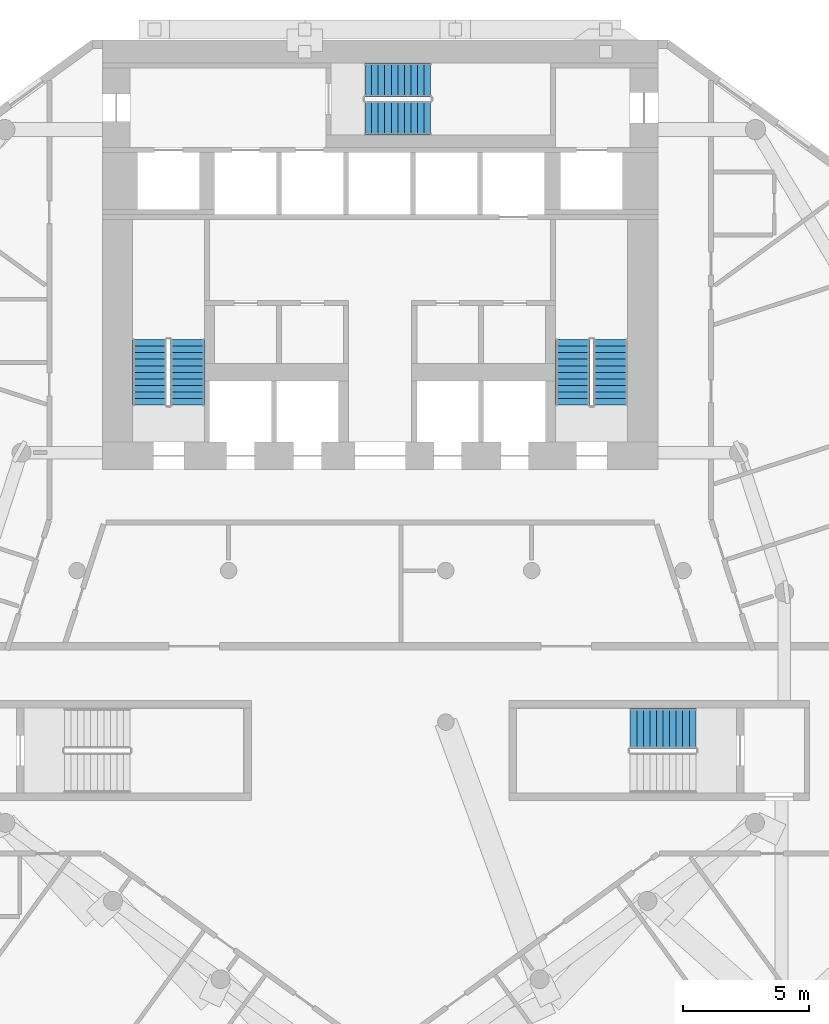
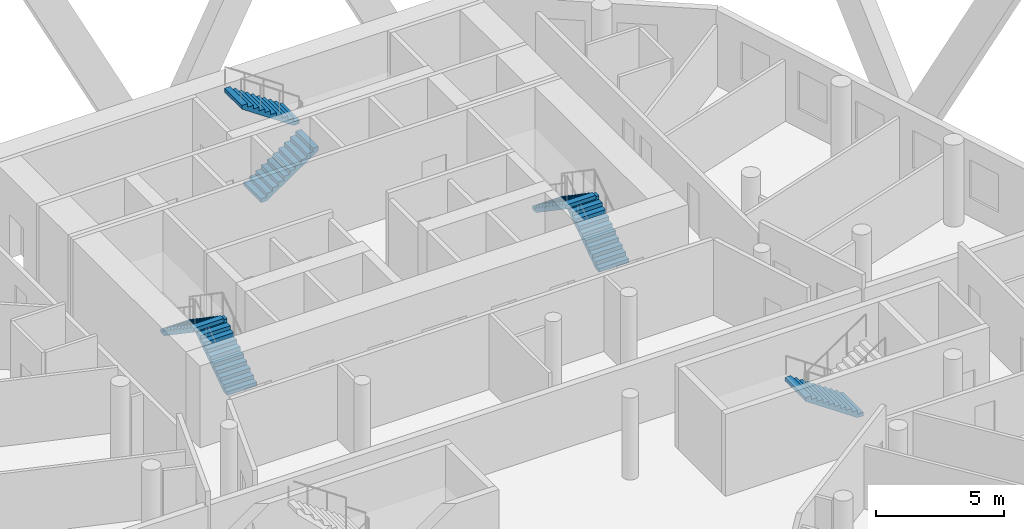
# One storey, part 9 of 11: 7 stair flights, 4 elements without a shape of their own.
"""IFC4 building model written with IfcOpenShell, lengths in metres."""

from ifc_helpers import new_model, si_unit, direction, frame, origin, place, context, subcontext, project, spatial, polyline, outline, extrude, material, layer, layer_set, type_object, element, aggregate, save


model = new_model("IFC4")

# Units and contexts
model_context = context("Model", 3, precision=1e-05, world=origin(), true_north=direction((0.0, 1.0)))
body_context = subcontext(model_context, "Body", "Model", "MODEL_VIEW")
ifc_project = project(units=[si_unit("LENGTHUNIT", "METRE"), si_unit("AREAUNIT", "SQUARE_METRE"), si_unit("VOLUMEUNIT", "CUBIC_METRE"), si_unit("PLANEANGLEUNIT", "RADIAN"), si_unit("MASSUNIT", "GRAM", prefix="KILO")], contexts=[model_context])

# Site, building, storey
site_placement = place(None, origin())
site = spatial("IfcSite", under=ifc_project, at=site_placement, CompositionType="ELEMENT")
building_placement = place(site_placement, origin())
building = spatial("IfcBuilding", under=site, at=building_placement, Name="White Candle Pilgrim Tower", CompositionType="ELEMENT")
storey_placement = place(building_placement, frame((0.0, 0.0, 90.800048828125)))
storey = spatial("IfcBuildingStorey", under=building, at=storey_placement, Name="L19", CompositionType="ELEMENT", Elevation=90.800048828125)

# Stair, stair flights
ifc_material = material(Name="Concrete C40/50", Category="concrete")
stair_type_1 = type_object("IfcStairType", Name="Exit stair 1 flight width 1350 mm", PredefinedType="HALF_TURN_STAIR", material=ifc_material)
stair_1_placement = place(storey_placement, origin())
stair_1 = element("IfcStair", 1, at=stair_1_placement, inside=storey, type_object=stair_type_1, Name="L19 stair 1", PredefinedType="NOTDEFINED")
ifc_layer = layer(ifc_material, 0.14990234375)
ifc_layer_set = layer_set([ifc_layer], Name="Stair flight Concrete C40/50")
stair_flight_type = type_object("IfcStairFlightType", Name="Stair flight Concrete C40/50", PredefinedType="STRAIGHT", material=ifc_layer_set)
stair_flight_1_placement = place(storey_placement, frame((62.375, 73.550048828125, 0.0), z_axis=(0.0, 0.0, 1.0), x_axis=(0.0, 1.0, 0.0)))
stair_flight_1 = element("IfcStairFlight", 2, at=stair_flight_1_placement, type_object=stair_flight_type, Name="ST1 flight 1", NumberOfRisers=11, NumberOfTreads=10, PredefinedType="NOTDEFINED", RiserHeight=0.177272727, TreadLength=0.26, context=body_context, shape_type="SweptSolid", body=[
    extrude(outline(polyline([(0.0, 0.0), (0.0, 0.17724609375), (0.260009765625, 0.17724609375), (0.260009765625, 0.3544921875), (0.52001953125, 0.3544921875), (0.52001953125, 0.53173828125), (0.780029296875, 0.53173828125), (0.780029296875, 0.708984375), (1.0400390625, 0.708984375), (1.0400390625, 0.886474609375), (1.300048828125, 0.886474609375), (1.300048828125, 1.063720703125), (1.56005859375, 1.063720703125), (1.56005859375, 1.240966796875), (1.820068359375, 1.240966796875), (1.820068359375, 1.418212890625), (2.080078125, 1.418212890625), (2.080078125, 1.595458984375), (2.340087890625, 1.595458984375), (2.340087890625, 1.772705078125), (2.60009765625, 1.772705078125), (2.60009765625, 1.949951171875), (2.60009765625, 1.59130859375), (0.26611328125, 0.0), (0.0, 0.0)])), frame((0.0, 0.675048828125, 0.0), z_axis=(0.0, -1.0, 0.0), x_axis=(1.0, 0.0, 0.0)), (0.0, 0.0, 1.0), 1.35009765625),
])
stair_flight_2_placement = place(storey_placement, frame((60.875, 76.14990234375, 1.949951171875), z_axis=(0.0, 0.0, 1.0), x_axis=(0.0, -1.0, 0.0)))
stair_flight_2 = element("IfcStairFlight", 3, at=stair_flight_2_placement, type_object=stair_flight_type, Name="ST1 flight 2", NumberOfRisers=11, NumberOfTreads=10, PredefinedType="NOTDEFINED", RiserHeight=0.177272727, TreadLength=0.26, context=body_context, shape_type="SweptSolid", body=[
    extrude(outline(polyline([(0.0, 0.0), (0.0, 0.17724609375), (0.260009765625, 0.17724609375), (0.260009765625, 0.3544921875), (0.52001953125, 0.3544921875), (0.52001953125, 0.53173828125), (0.780029296875, 0.53173828125), (0.780029296875, 0.708984375), (1.0400390625, 0.708984375), (1.0400390625, 0.886474609375), (1.300048828125, 0.886474609375), (1.300048828125, 1.063720703125), (1.56005859375, 1.063720703125), (1.56005859375, 1.240966796875), (1.820068359375, 1.240966796875), (1.820068359375, 1.418212890625), (2.080078125, 1.418212890625), (2.080078125, 1.595458984375), (2.340087890625, 1.595458984375), (2.340087890625, 1.772705078125), (2.60009765625, 1.772705078125), (2.60009765625, 1.949951171875), (2.60009765625, 1.59130859375), (0.26611328125, 0.0), (0.0, 0.0)])), frame((0.0, 0.675048828125, 0.0), z_axis=(0.0, -1.0, 0.0), x_axis=(1.0, 0.0, 0.0)), (0.0, 0.0, 1.0), 1.35009765625),
])
aggregate(stair_1, [stair_flight_1, stair_flight_2])

stair_type_2 = type_object("IfcStairType", Name="Exit stair 2 flight width 1350 mm", PredefinedType="HALF_TURN_STAIR", material=ifc_material)
stair_2_placement = place(storey_placement, origin())
stair_2 = element("IfcStair", 4, at=stair_2_placement, inside=storey, type_object=stair_type_2, Name="L19 stair 2", PredefinedType="NOTDEFINED")
stair_flight_3_placement = place(storey_placement, frame((79.125, 73.550048828125, 0.0), z_axis=(0.0, 0.0, 1.0), x_axis=(0.0, 1.0, 0.0)))
stair_flight_3 = element("IfcStairFlight", 5, at=stair_flight_3_placement, type_object=stair_flight_type, Name="ST2 flight 1", NumberOfRisers=11, NumberOfTreads=10, PredefinedType="NOTDEFINED", RiserHeight=0.177272727, TreadLength=0.26, context=body_context, shape_type="SweptSolid", body=[
    extrude(outline(polyline([(0.0, 0.0), (0.0, 0.17724609375), (0.260009765625, 0.17724609375), (0.260009765625, 0.3544921875), (0.52001953125, 0.3544921875), (0.52001953125, 0.53173828125), (0.780029296875, 0.53173828125), (0.780029296875, 0.708984375), (1.0400390625, 0.708984375), (1.0400390625, 0.886474609375), (1.300048828125, 0.886474609375), (1.300048828125, 1.063720703125), (1.56005859375, 1.063720703125), (1.56005859375, 1.240966796875), (1.820068359375, 1.240966796875), (1.820068359375, 1.418212890625), (2.080078125, 1.418212890625), (2.080078125, 1.595458984375), (2.340087890625, 1.595458984375), (2.340087890625, 1.772705078125), (2.60009765625, 1.772705078125), (2.60009765625, 1.949951171875), (2.60009765625, 1.59130859375), (0.26611328125, 0.0), (0.0, 0.0)])), frame((0.0, 0.675048828125, 0.0), z_axis=(0.0, -1.0, 0.0), x_axis=(1.0, 0.0, 0.0)), (0.0, 0.0, 1.0), 1.35009765625),
])
stair_flight_4_placement = place(storey_placement, frame((77.625, 76.14990234375, 1.949951171875), z_axis=(0.0, 0.0, 1.0), x_axis=(0.0, -1.0, 0.0)))
stair_flight_4 = element("IfcStairFlight", 6, at=stair_flight_4_placement, type_object=stair_flight_type, Name="ST2 flight 2", NumberOfRisers=11, NumberOfTreads=10, PredefinedType="NOTDEFINED", RiserHeight=0.177272727, TreadLength=0.26, context=body_context, shape_type="SweptSolid", body=[
    extrude(outline(polyline([(0.0, 0.0), (0.0, 0.17724609375), (0.260009765625, 0.17724609375), (0.260009765625, 0.3544921875), (0.52001953125, 0.3544921875), (0.52001953125, 0.53173828125), (0.780029296875, 0.53173828125), (0.780029296875, 0.708984375), (1.0400390625, 0.708984375), (1.0400390625, 0.886474609375), (1.300048828125, 0.886474609375), (1.300048828125, 1.063720703125), (1.56005859375, 1.063720703125), (1.56005859375, 1.240966796875), (1.820068359375, 1.240966796875), (1.820068359375, 1.418212890625), (2.080078125, 1.418212890625), (2.080078125, 1.595458984375), (2.340087890625, 1.595458984375), (2.340087890625, 1.772705078125), (2.60009765625, 1.772705078125), (2.60009765625, 1.949951171875), (2.60009765625, 1.59130859375), (0.26611328125, 0.0), (0.0, 0.0)])), frame((0.0, 0.675048828125, 0.0), z_axis=(0.0, -1.0, 0.0), x_axis=(1.0, 0.0, 0.0)), (0.0, 0.0, 1.0), 1.35009765625),
])
aggregate(stair_2, [stair_flight_3, stair_flight_4])

stair_type_3 = type_object("IfcStairType", Name="Exit stair 3 flight width 1350 mm", PredefinedType="HALF_TURN_STAIR", material=ifc_material)
stair_3_placement = place(storey_placement, origin())
stair_3 = element("IfcStair", 7, at=stair_3_placement, inside=storey, type_object=stair_type_3, Name="L19 stair 3", PredefinedType="NOTDEFINED")
stair_flight_5_placement = place(storey_placement, frame((69.39990234375, 84.925048828125, 0.0), z_axis=(0.0, 0.0, 1.0), x_axis=(1.0, 0.0, 0.0)))
stair_flight_5 = element("IfcStairFlight", 8, at=stair_flight_5_placement, type_object=stair_flight_type, Name="ST3 flight 1", NumberOfRisers=11, NumberOfTreads=10, PredefinedType="NOTDEFINED", RiserHeight=0.177272727, TreadLength=0.26, context=body_context, shape_type="SweptSolid", body=[
    extrude(outline(polyline([(0.0, 0.0), (0.0, 0.17724609375), (0.260009765625, 0.17724609375), (0.260009765625, 0.3544921875), (0.52001953125, 0.3544921875), (0.52001953125, 0.53173828125), (0.780029296875, 0.53173828125), (0.780029296875, 0.708984375), (1.0400390625, 0.708984375), (1.0400390625, 0.886474609375), (1.300048828125, 0.886474609375), (1.300048828125, 1.063720703125), (1.56005859375, 1.063720703125), (1.56005859375, 1.240966796875), (1.820068359375, 1.240966796875), (1.820068359375, 1.418212890625), (2.080078125, 1.418212890625), (2.080078125, 1.595458984375), (2.340087890625, 1.595458984375), (2.340087890625, 1.772705078125), (2.60009765625, 1.772705078125), (2.60009765625, 1.949951171875), (2.60009765625, 1.59130859375), (0.26611328125, 0.0), (0.0, 0.0)])), frame((0.0, 0.675048828125, 0.0), z_axis=(0.0, -1.0, 0.0), x_axis=(1.0, 0.0, 0.0)), (0.0, 0.0, 1.0), 1.35009765625),
])
stair_flight_6_placement = place(storey_placement, frame((72.0, 86.425048828125, 1.949951171875), z_axis=(0.0, 0.0, 1.0), x_axis=(-1.0, 0.0, 0.0)))
stair_flight_6 = element("IfcStairFlight", 9, at=stair_flight_6_placement, type_object=stair_flight_type, Name="ST3 flight 2", NumberOfRisers=11, NumberOfTreads=10, PredefinedType="NOTDEFINED", RiserHeight=0.177272727, TreadLength=0.26, context=body_context, shape_type="SweptSolid", body=[
    extrude(outline(polyline([(0.0, 0.0), (0.0, 0.17724609375), (0.260009765625, 0.17724609375), (0.260009765625, 0.3544921875), (0.52001953125, 0.3544921875), (0.52001953125, 0.53173828125), (0.780029296875, 0.53173828125), (0.780029296875, 0.708984375), (1.0400390625, 0.708984375), (1.0400390625, 0.886474609375), (1.300048828125, 0.886474609375), (1.300048828125, 1.063720703125), (1.56005859375, 1.063720703125), (1.56005859375, 1.240966796875), (1.820068359375, 1.240966796875), (1.820068359375, 1.418212890625), (2.080078125, 1.418212890625), (2.080078125, 1.595458984375), (2.340087890625, 1.595458984375), (2.340087890625, 1.772705078125), (2.60009765625, 1.772705078125), (2.60009765625, 1.949951171875), (2.60009765625, 1.59130859375), (0.26611328125, 0.0), (0.0, 0.0)])), frame((0.0, 0.675048828125, 0.0), z_axis=(0.0, -1.0, 0.0), x_axis=(1.0, 0.0, 0.0)), (0.0, 0.0, 1.0), 1.35009765625),
])
aggregate(stair_3, [stair_flight_5, stair_flight_6])

# Stair, stair flight
stair_type_4 = type_object("IfcStairType", Name="Exit stair 4 flight width 1600 mm", PredefinedType="HALF_TURN_STAIR", material=ifc_material)
stair_4_placement = place(storey_placement, origin())
stair_4 = element("IfcStair", 10, at=stair_4_placement, inside=storey, type_object=stair_type_4, Name="L19 stair 4", PredefinedType="NOTDEFINED")
stair_flight_7_placement = place(storey_placement, frame((82.5, 60.75, 0.0), z_axis=(0.0, 0.0, 1.0), x_axis=(-1.0, 0.0, 0.0)))
stair_flight_7 = element("IfcStairFlight", 11, at=stair_flight_7_placement, type_object=stair_flight_type, Name="ST4 flight 1", NumberOfRisers=11, NumberOfTreads=10, PredefinedType="NOTDEFINED", RiserHeight=0.177272727, TreadLength=0.26, context=body_context, shape_type="SweptSolid", body=[
    extrude(outline(polyline([(0.0, 0.0), (0.0, 0.17724609375), (0.260009765625, 0.17724609375), (0.260009765625, 0.3544921875), (0.52001953125, 0.3544921875), (0.52001953125, 0.53173828125), (0.780029296875, 0.53173828125), (0.780029296875, 0.708984375), (1.0400390625, 0.708984375), (1.0400390625, 0.886474609375), (1.300048828125, 0.886474609375), (1.300048828125, 1.063720703125), (1.56005859375, 1.063720703125), (1.56005859375, 1.240966796875), (1.820068359375, 1.240966796875), (1.820068359375, 1.418212890625), (2.080078125, 1.418212890625), (2.080078125, 1.595458984375), (2.340087890625, 1.595458984375), (2.340087890625, 1.772705078125), (2.60009765625, 1.772705078125), (2.60009765625, 1.949951171875), (2.60009765625, 1.59130859375), (0.26611328125, 0.0), (0.0, 0.0)])), frame((0.0, 0.800048828125, 0.0), z_axis=(0.0, -1.0, 0.0), x_axis=(1.0, 0.0, 0.0)), (0.0, 0.0, 1.0), 1.60009765625),
])
aggregate(stair_4, [stair_flight_7])

save(model, "model.ifc")
